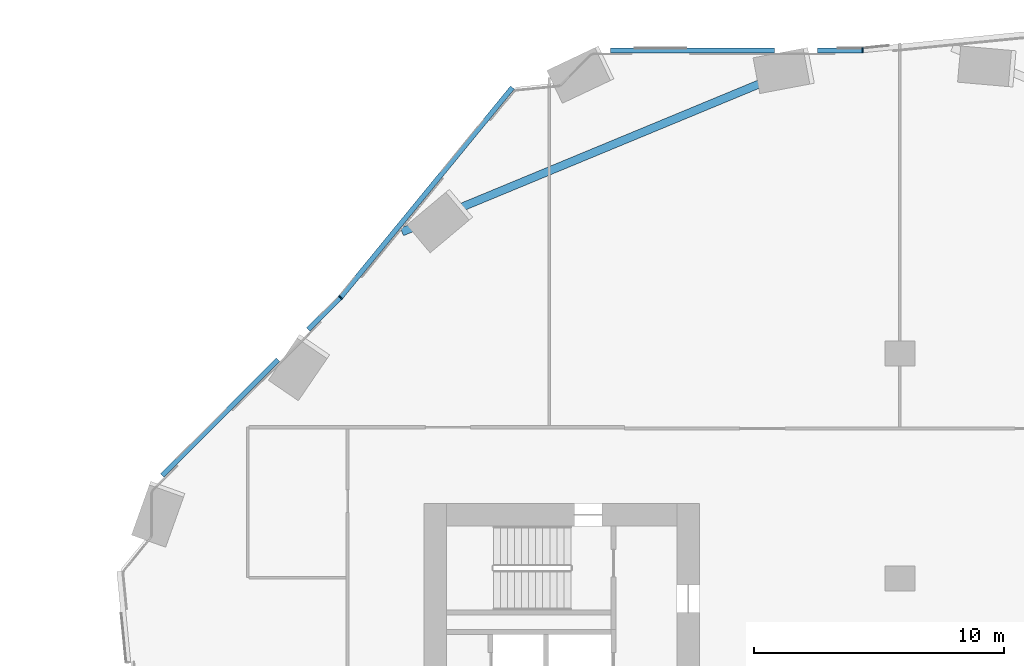
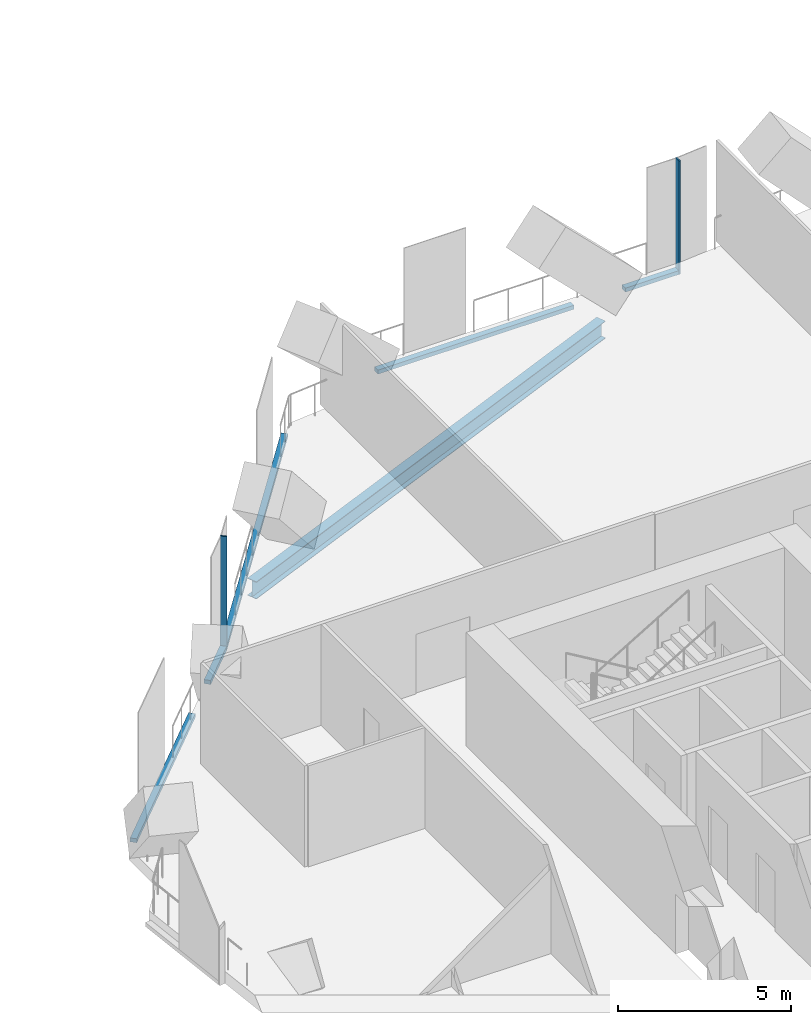
# One storey, part 13 of 32: 7 members, 1 beam, 4 elements without a shape of their own.
"""IFC4 building model written with IfcOpenShell, lengths in metres."""

from ifc_helpers import new_model, si_unit, direction, frame, origin, origin_2d, place, context, subcontext, project, spatial, rectangle, i_section, extrude, material, material_profile, profile_set, type_object, element, aggregate, save


model = new_model("IFC4")

# Units and contexts
model_context = context("Model", 3, precision=1e-05, world=origin(), true_north=direction((0.0, 1.0)))
body_context = subcontext(model_context, "Body", "Model", "MODEL_VIEW")
ifc_project = project(units=[si_unit("LENGTHUNIT", "METRE"), si_unit("AREAUNIT", "SQUARE_METRE"), si_unit("VOLUMEUNIT", "CUBIC_METRE"), si_unit("PLANEANGLEUNIT", "RADIAN"), si_unit("MASSUNIT", "GRAM", prefix="KILO")], contexts=[model_context])

# Site, building, storey
site_placement = place(None, origin())
site = spatial("IfcSite", under=ifc_project, at=site_placement, CompositionType="ELEMENT")
building_placement = place(site_placement, origin())
building = spatial("IfcBuilding", under=site, at=building_placement, Name="Orlundy Tower", CompositionType="ELEMENT")
storey_placement = place(building_placement, frame((0.0, 0.0, 33.300048828125)))
storey = spatial("IfcBuildingStorey", under=building, at=storey_placement, Name="L06", CompositionType="ELEMENT", Elevation=33.300048828125)

# Beam
ifc_material_1 = material(Name="Steel ASTM A992 Gr 50", Category="steel")
ifc_material_profile_1 = material_profile(ifc_material_1, i_section(OverallWidth=0.32373046875, OverallDepth=0.611083984375, WebThickness=0.0126953125, FlangeThickness=0.01904296875, at=origin_2d()), Name="W24X104")
ifc_profile_set_1 = profile_set([ifc_material_profile_1], Name="Steel ASTM A992 Gr 50")
beam_type = type_object("IfcBeamType", Name="CANTILEVER GIRDER beam W24X104", PredefinedType="BEAM", material=ifc_profile_set_1)
beam_placement = place(storey_placement, frame((-19.880859375, 22.84619140625, -0.7255859375), z_axis=(0.923873308736, 0.382698457542, 0.0), x_axis=(-0.382698457542, 0.923873308736, 0.0)))
element("IfcBeam", 1, at=beam_placement, inside=storey, type_object=beam_type, Name="Cantilever girder C-H18 L06", PredefinedType="BEAM", context=body_context, shape_type="SweptSolid", body=[
    extrude(i_section(OverallWidth=0.32373046875, OverallDepth=0.611083984375, WebThickness=0.0126953125, FlangeThickness=0.01904296875, at=origin_2d()), origin(), (0.0, 0.0, 1.0), 16.5654296875),
])

# Curtain wall, member
ifc_material_2 = material(Name="Aluminium bronze anodised", Category="aluminium")
curtain_wall_type = type_object("IfcCurtainWallType", Name="CW5 wall", PredefinedType="NOTDEFINED", material=ifc_material_2)
curtain_wall_1_placement = place(storey_placement, origin())
curtain_wall_1 = element("IfcCurtainWall", 2, at=curtain_wall_1_placement, inside=storey, type_object=curtain_wall_type, Name="CW5 run 03", PredefinedType="NOTDEFINED")
ifc_material_3 = material(Name="Aluminium bronze anodised", Category="aluminium")
ifc_material_profile_2 = material_profile(ifc_material_3, rectangle(XDim=0.199951171875, YDim=0.050048828125, at=origin_2d()), Name="CW5 mullion 50x200")
ifc_profile_set_2 = profile_set([ifc_material_profile_2], Name="Aluminium bronze anodised")
member_type_1 = type_object("IfcMemberType", Name="CW5 mullion 50x200", PredefinedType="MULLION", material=ifc_profile_set_2)
member_1_placement = place(storey_placement, frame((-22.336181640625, 20.231201171875, -0.420166015625), z_axis=(0.0, 0.0, 1.0), x_axis=(-0.741202184189, 0.671281850011, 0.0)))
member_1 = element("IfcMember", 3, at=member_1_placement, type_object=member_type_1, Name="CW5 mullion 5", PredefinedType="MULLION", context=body_context, shape_type="SweptSolid", body=[
    extrude(rectangle(XDim=0.199951171875, YDim=0.050048828125, at=origin_2d()), origin(), (0.0, 0.0, 1.0), 4.0),
])

curtain_wall_2_placement = place(storey_placement, origin())
curtain_wall_2 = element("IfcCurtainWall", 4, at=curtain_wall_2_placement, inside=storey, type_object=curtain_wall_type, Name="CW5 run 07", PredefinedType="NOTDEFINED")
member_2_placement = place(storey_placement, frame((-1.48583984375, 30.10009765625, -0.420166015625), z_axis=(0.0, 0.0, 1.0), x_axis=(-0.049432076622, 0.998777487632, 0.0)))
member_2 = element("IfcMember", 5, at=member_2_placement, type_object=member_type_1, Name="CW5 mullion 11", PredefinedType="MULLION", context=body_context, shape_type="SweptSolid", body=[
    extrude(rectangle(XDim=0.199951171875, YDim=0.050048828125, at=origin_2d()), origin(), (0.0, 0.0, 1.0), 4.0),
])
aggregate(curtain_wall_2, [member_2])

# Curtain wall, members
curtain_wall_3_placement = place(storey_placement, origin())
curtain_wall_3 = element("IfcCurtainWall", 6, at=curtain_wall_3_placement, inside=storey, type_object=curtain_wall_type, Name="CW5 run 02", PredefinedType="NOTDEFINED")
ifc_material_4 = material(Name="Aluminium bronze anodised", Category="aluminium")
ifc_material_profile_3 = material_profile(ifc_material_4, rectangle(XDim=0.199951171875, YDim=0.139892578125, at=origin_2d()), Name="CW5 transom 200x140")
ifc_profile_set_3 = profile_set([ifc_material_profile_3], Name="Aluminium bronze anodised")
member_type_2 = type_object("IfcMemberType", Name="CW5 transom 200x140", PredefinedType="USERDEFINED", material=ifc_profile_set_3)
member_3_placement = place(storey_placement, frame((-29.448974609375, 13.118408203125, -0.35009765625), z_axis=(0.707088098629, 0.707125463251, 0.0), x_axis=(-0.707125463251, 0.707088098629, 0.0)))
member_3 = element("IfcMember", 7, at=member_3_placement, type_object=member_type_2, Name="CW5 transom", ObjectType="TRANSOM", PredefinedType="USERDEFINED", context=body_context, shape_type="SweptSolid", body=[
    extrude(rectangle(XDim=0.199951171875, YDim=0.139892578125, at=origin_2d()), origin(), (0.0, 0.0, 1.0), 6.533935546875),
])
member_4_placement = place(storey_placement, frame((-23.615234375, 18.9521484375, -0.35009765625), z_axis=(0.70703834598, 0.707175209771, 0.0), x_axis=(-0.707175209771, 0.70703834598, 0.0)))
member_4 = element("IfcMember", 8, at=member_4_placement, type_object=member_type_2, Name="CW5 transom", ObjectType="TRANSOM", PredefinedType="USERDEFINED", context=body_context, shape_type="SweptSolid", body=[
    extrude(rectangle(XDim=0.199951171875, YDim=0.139892578125, at=origin_2d()), origin(), (0.0, 0.0, 1.0), 1.783935546875),
])
aggregate(curtain_wall_3, [member_3, member_4])

# Member
member_5_placement = place(storey_placement, frame((-22.3203125, 20.25048828125, -0.35009765625), z_axis=(0.633807035039, 0.773491203786, 0.0), x_axis=(-0.773491203786, 0.633807035039, 0.0)))
member_5 = element("IfcMember", 9, at=member_5_placement, type_object=member_type_2, Name="CW5 transom", ObjectType="TRANSOM", PredefinedType="USERDEFINED", context=body_context, shape_type="SweptSolid", body=[
    extrude(rectangle(XDim=0.199951171875, YDim=0.139892578125, at=origin_2d()), origin(), (0.0, 0.0, 1.0), 10.81005859375),
])

aggregate(curtain_wall_1, [member_1, member_5])

# Curtain wall, members
curtain_wall_4_placement = place(storey_placement, origin())
curtain_wall_4 = element("IfcCurtainWall", 10, at=curtain_wall_4_placement, inside=storey, type_object=curtain_wall_type, Name="CW5 run 06", PredefinedType="NOTDEFINED")
member_6_placement = place(storey_placement, frame((-11.5478515625, 30.10009765625, -0.35009765625), z_axis=(1.0, 0.0, 0.0), x_axis=(0.0, 1.0, 0.0)))
member_6 = element("IfcMember", 11, at=member_6_placement, type_object=member_type_2, Name="CW5 transom", ObjectType="TRANSOM", PredefinedType="USERDEFINED", context=body_context, shape_type="SweptSolid", body=[
    extrude(rectangle(XDim=0.199951171875, YDim=0.139892578125, at=origin_2d()), origin(), (0.0, 0.0, 1.0), 6.5341796875),
])
member_7_placement = place(storey_placement, frame((-3.297607421875, 30.10009765625, -0.35009765625), z_axis=(1.0, 0.0, 0.0), x_axis=(0.0, 1.0, 0.0)))
member_7 = element("IfcMember", 12, at=member_7_placement, type_object=member_type_2, Name="CW5 transom", ObjectType="TRANSOM", PredefinedType="USERDEFINED", context=body_context, shape_type="SweptSolid", body=[
    extrude(rectangle(XDim=0.199951171875, YDim=0.139892578125, at=origin_2d()), origin(), (0.0, 0.0, 1.0), 1.78662109375),
])
aggregate(curtain_wall_4, [member_6, member_7])

save(model, "model.ifc")
